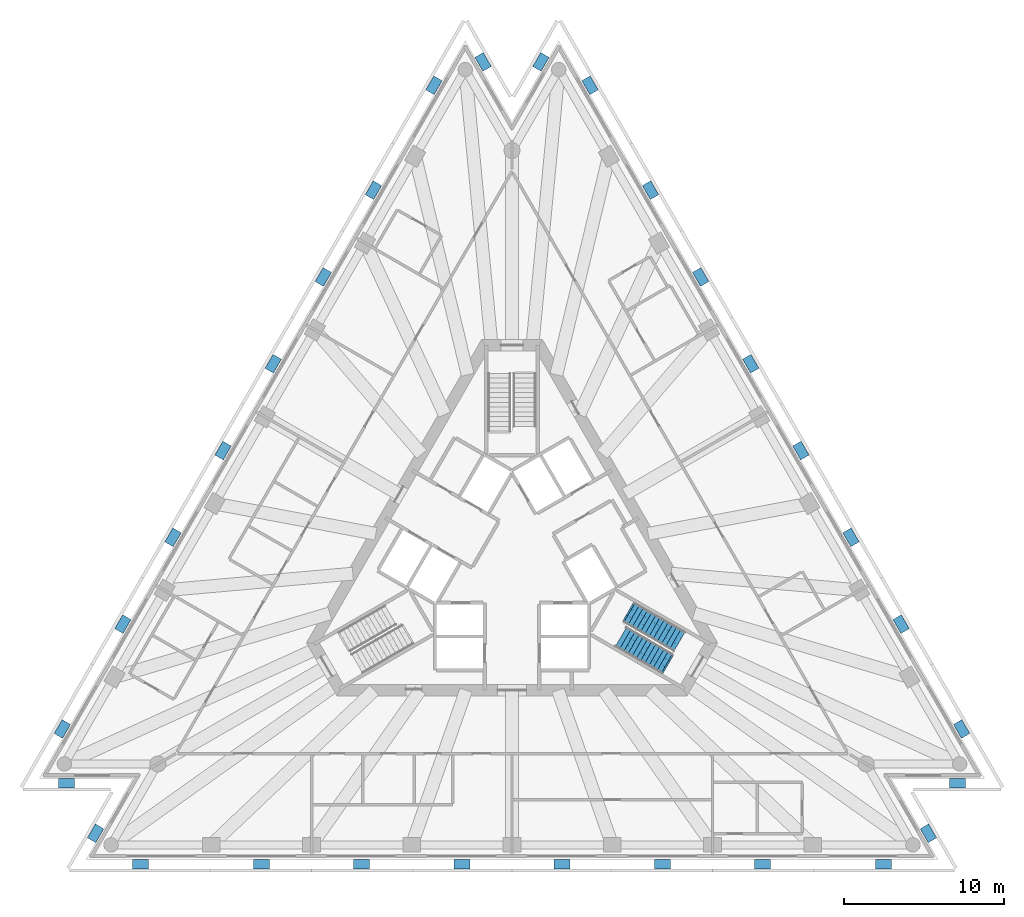
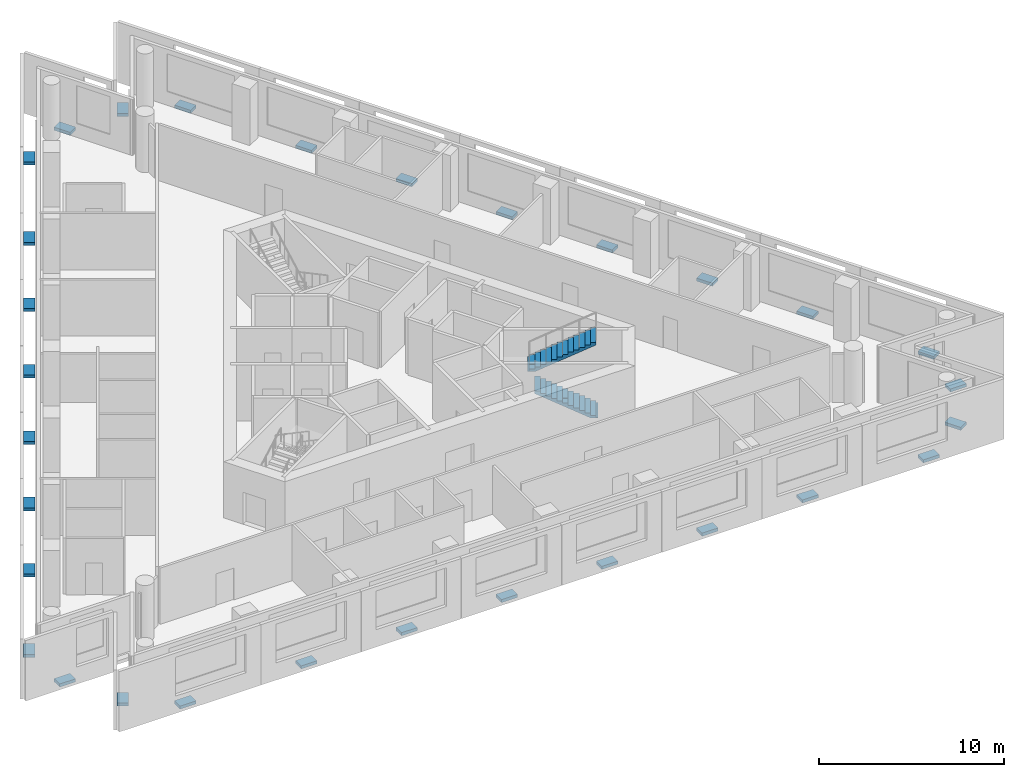
# One storey, part 8 of 10: 30 discrete accessories, 2 stair flights, 1 element without a shape of its own.
"""IFC4 building model written with IfcOpenShell, lengths in metres."""

from ifc_helpers import new_model, si_unit, direction, frame, origin, origin_2d, place, context, subcontext, project, spatial, polyline, rectangle, outline, extrude, material, type_object, element, aggregate, save


model = new_model("IFC4")

# Units and contexts
model_context = context("Model", 3, precision=1e-05, world=origin(), true_north=direction((0.0, 1.0)))
body_context = subcontext(model_context, "Body", "Model", "MODEL_VIEW")
ifc_project = project(units=[si_unit("LENGTHUNIT", "METRE"), si_unit("AREAUNIT", "SQUARE_METRE"), si_unit("VOLUMEUNIT", "CUBIC_METRE"), si_unit("PLANEANGLEUNIT", "RADIAN"), si_unit("MASSUNIT", "GRAM", prefix="KILO")], contexts=[model_context])

# Site, building, storey
site_placement = place(None, origin())
site = spatial("IfcSite", under=ifc_project, at=site_placement, CompositionType="ELEMENT")
building_placement = place(site_placement, origin())
building = spatial("IfcBuilding", under=site, at=building_placement, Name="Triada Interchange Tower", CompositionType="ELEMENT")
storey_placement = place(building_placement, frame((0.0, 0.0, 199.300048828125)))
storey = spatial("IfcBuildingStorey", under=building, at=storey_placement, Name="L46", CompositionType="ELEMENT", Elevation=199.300048828125)

# Stair, stair flights
ifc_material_1 = material(Name="Concrete C35/45", Category="concrete")
stair_type = type_object("IfcStairType", Name="HALF TURN STAIR 1400", PredefinedType="HALF_TURN_STAIR", material=ifc_material_1)
stair_placement = place(storey_placement, origin())
stair = element("IfcStair", 1, at=stair_placement, inside=storey, type_object=stair_type, Name="Exit stair S44-3", PredefinedType="HALF_TURN_STAIR")
stair_flight_type = type_object("IfcStairFlightType", Name="STRAIGHT STAIR FLIGHT 1400", PredefinedType="STRAIGHT", material=ifc_material_1)
stair_flight_1_placement = place(storey_placement, frame((9.64599609375, -6.492919921875, 0.0), z_axis=(0.0, 0.0, 1.0), x_axis=(-0.866025403784, 0.5, 0.0)))
stair_flight_1 = element("IfcStairFlight", 2, at=stair_flight_1_placement, type_object=stair_flight_type, Name="S44-3 flight 1", NumberOfRisers=12, NumberOfTreads=11, PredefinedType="STRAIGHT", RiserHeight=0.16, TreadLength=0.3, context=body_context, shape_type="SweptSolid", body=[
    extrude(outline(polyline([(-0.10009765625, 0.0), (-0.10009765625, 0.02001953125), (0.0, 0.02001953125), (0.0, 0.159912109375), (0.300048828125, 0.159912109375), (0.300048828125, 0.320068359375), (0.60009765625, 0.320068359375), (0.60009765625, 0.47998046875), (0.89990234375, 0.47998046875), (0.89990234375, 0.639892578125), (1.199951171875, 0.639892578125), (1.199951171875, 0.800048828125), (1.5, 0.800048828125), (1.5, 0.9599609375), (1.800048828125, 0.9599609375), (1.800048828125, 1.1201171875), (2.10009765625, 1.1201171875), (2.10009765625, 1.280029296875), (2.39990234375, 1.280029296875), (2.39990234375, 1.43994140625), (2.699951171875, 1.43994140625), (2.699951171875, 1.60009765625), (3.0, 1.60009765625), (3.0, 1.760009765625), (3.300048828125, 1.760009765625), (3.303955078125, 1.760009765625), (3.303955078125, 1.919921875), (3.303955078125, 1.590087890625), (0.318603515625, 0.0), (-0.10009765625, 0.0)])), frame((0.0, 0.699951171875, 0.0), z_axis=(0.0, -1.0, 0.0), x_axis=(1.0, 0.0, 0.0)), (0.0, 0.0, 1.0), 0.46533203125),
    extrude(outline(polyline([(-0.10009765625, 0.0), (-0.10009765625, 0.02001953125), (0.0, 0.02001953125), (0.0, 0.159912109375), (0.300048828125, 0.159912109375), (0.300048828125, 0.320068359375), (0.60009765625, 0.320068359375), (0.60009765625, 0.47998046875), (0.89990234375, 0.47998046875), (0.89990234375, 0.639892578125), (1.199951171875, 0.639892578125), (1.199951171875, 0.800048828125), (1.5, 0.800048828125), (1.5, 0.9599609375), (1.800048828125, 0.9599609375), (1.800048828125, 1.1201171875), (2.10009765625, 1.1201171875), (2.10009765625, 1.280029296875), (2.39990234375, 1.280029296875), (2.39990234375, 1.43994140625), (2.699951171875, 1.43994140625), (2.699951171875, 1.60009765625), (3.0, 1.60009765625), (3.0, 1.760009765625), (3.300048828125, 1.760009765625), (3.303955078125, 1.760009765625), (3.303955078125, 1.919921875), (3.303955078125, 1.590087890625), (0.318603515625, 0.0), (-0.10009765625, 0.0)])), frame((0.0, 0.232666015625, 0.0), z_axis=(0.0, -1.0, 0.0), x_axis=(1.0, 0.0, 0.0)), (0.0, 0.0, 1.0), 0.46533203125),
    extrude(outline(polyline([(-0.10009765625, 0.0), (-0.10009765625, 0.02001953125), (0.0, 0.02001953125), (0.0, 0.159912109375), (0.300048828125, 0.159912109375), (0.300048828125, 0.320068359375), (0.60009765625, 0.320068359375), (0.60009765625, 0.47998046875), (0.89990234375, 0.47998046875), (0.89990234375, 0.639892578125), (1.199951171875, 0.639892578125), (1.199951171875, 0.800048828125), (1.5, 0.800048828125), (1.5, 0.9599609375), (1.800048828125, 0.9599609375), (1.800048828125, 1.1201171875), (2.10009765625, 1.1201171875), (2.10009765625, 1.280029296875), (2.39990234375, 1.280029296875), (2.39990234375, 1.43994140625), (2.699951171875, 1.43994140625), (2.699951171875, 1.60009765625), (3.0, 1.60009765625), (3.0, 1.760009765625), (3.300048828125, 1.760009765625), (3.303955078125, 1.760009765625), (3.303955078125, 1.919921875), (3.303955078125, 1.590087890625), (0.318603515625, 0.0), (-0.10009765625, 0.0)])), frame((0.0, -0.234619140625, 0.0), z_axis=(0.0, -1.0, 0.0), x_axis=(1.0, 0.0, 0.0)), (0.0, 0.0, 1.0), 0.46533203125),
])
stair_flight_2_placement = place(storey_placement, frame((7.327880859375, -3.306884765625, 1.919921875), z_axis=(0.0, 0.0, 1.0), x_axis=(0.866025403784, -0.5, 0.0)))
stair_flight_2 = element("IfcStairFlight", 3, at=stair_flight_2_placement, type_object=stair_flight_type, Name="S44-3 flight 2", NumberOfRisers=13, NumberOfTreads=12, PredefinedType="STRAIGHT", RiserHeight=0.16, TreadLength=0.3, context=body_context, shape_type="SweptSolid", body=[
    extrude(outline(polyline([(-0.10009765625, 0.0), (-0.10009765625, 0.02001953125), (0.0, 0.02001953125), (0.0, 0.159912109375), (0.300048828125, 0.159912109375), (0.300048828125, 0.320068359375), (0.60009765625, 0.320068359375), (0.60009765625, 0.47998046875), (0.89990234375, 0.47998046875), (0.89990234375, 0.639892578125), (1.199951171875, 0.639892578125), (1.199951171875, 0.800048828125), (1.5, 0.800048828125), (1.5, 0.9599609375), (1.800048828125, 0.9599609375), (1.800048828125, 1.1201171875), (2.10009765625, 1.1201171875), (2.10009765625, 1.280029296875), (2.39990234375, 1.280029296875), (2.39990234375, 1.43994140625), (2.699951171875, 1.43994140625), (2.699951171875, 1.60009765625), (3.0, 1.60009765625), (3.0, 1.760009765625), (3.300048828125, 1.760009765625), (3.300048828125, 1.919921875), (3.60009765625, 1.919921875), (3.60400390625, 1.919921875), (3.60400390625, 2.080078125), (3.60400390625, 1.75), (0.318603515625, 0.0), (-0.10009765625, 0.0)])), frame((0.0, 0.699951171875, 0.0), z_axis=(0.0, -1.0, 0.0), x_axis=(1.0, 0.0, 0.0)), (0.0, 0.0, 1.0), 0.46533203125),
    extrude(outline(polyline([(-0.10009765625, 0.0), (-0.10009765625, 0.02001953125), (0.0, 0.02001953125), (0.0, 0.159912109375), (0.300048828125, 0.159912109375), (0.300048828125, 0.320068359375), (0.60009765625, 0.320068359375), (0.60009765625, 0.47998046875), (0.89990234375, 0.47998046875), (0.89990234375, 0.639892578125), (1.199951171875, 0.639892578125), (1.199951171875, 0.800048828125), (1.5, 0.800048828125), (1.5, 0.9599609375), (1.800048828125, 0.9599609375), (1.800048828125, 1.1201171875), (2.10009765625, 1.1201171875), (2.10009765625, 1.280029296875), (2.39990234375, 1.280029296875), (2.39990234375, 1.43994140625), (2.699951171875, 1.43994140625), (2.699951171875, 1.60009765625), (3.0, 1.60009765625), (3.0, 1.760009765625), (3.300048828125, 1.760009765625), (3.300048828125, 1.919921875), (3.60009765625, 1.919921875), (3.60400390625, 1.919921875), (3.60400390625, 2.080078125), (3.60400390625, 1.75), (0.318603515625, 0.0), (-0.10009765625, 0.0)])), frame((0.0, 0.232666015625, 0.0), z_axis=(0.0, -1.0, 0.0), x_axis=(1.0, 0.0, 0.0)), (0.0, 0.0, 1.0), 0.46533203125),
    extrude(outline(polyline([(-0.10009765625, 0.0), (-0.10009765625, 0.02001953125), (0.0, 0.02001953125), (0.0, 0.159912109375), (0.300048828125, 0.159912109375), (0.300048828125, 0.320068359375), (0.60009765625, 0.320068359375), (0.60009765625, 0.47998046875), (0.89990234375, 0.47998046875), (0.89990234375, 0.639892578125), (1.199951171875, 0.639892578125), (1.199951171875, 0.800048828125), (1.5, 0.800048828125), (1.5, 0.9599609375), (1.800048828125, 0.9599609375), (1.800048828125, 1.1201171875), (2.10009765625, 1.1201171875), (2.10009765625, 1.280029296875), (2.39990234375, 1.280029296875), (2.39990234375, 1.43994140625), (2.699951171875, 1.43994140625), (2.699951171875, 1.60009765625), (3.0, 1.60009765625), (3.0, 1.760009765625), (3.300048828125, 1.760009765625), (3.300048828125, 1.919921875), (3.60009765625, 1.919921875), (3.60400390625, 1.919921875), (3.60400390625, 2.080078125), (3.60400390625, 1.75), (0.318603515625, 0.0), (-0.10009765625, 0.0)])), frame((0.0, -0.234619140625, 0.0), z_axis=(0.0, -1.0, 0.0), x_axis=(1.0, 0.0, 0.0)), (0.0, 0.0, 1.0), 0.46533203125),
])
aggregate(stair, [stair_flight_1, stair_flight_2])

# Discrete accessories
ifc_material_2 = material(Name="Steel S355", Category="steel")
discrete_accessory_type = type_object("IfcDiscreteAccessoryType", Name="Steel bracket outer skin", PredefinedType="BRACKET", material=ifc_material_2)
for number, where, z_axis, x_axis, name in (
    (4, (-4.865966796875, 29.56103515625, -0.27001953125), (0.0, 0.0, 1.0), (-0.866023457736, 0.50000337064, 0.0), "Bracket L46 01"),
    (5, (-8.638916015625, 23.02490234375, -0.27001953125), (0.0, 0.0, 1.0), (-0.866023457736, 0.50000337064, 0.0), "Bracket L46 02"),
    (6, (-11.763916015625, 17.614013671875, -0.27001953125), (0.0, 0.0, 1.0), (-0.866023457736, 0.50000337064, 0.0), "Bracket L46 03"),
    (7, (-14.887939453125, 12.202880859375, -0.27001953125), (0.0, 0.0, 1.0), (-0.866023457736, 0.50000337064, 0.0), "Bracket L46 04"),
    (8, (-18.011962890625, 6.7919921875, -0.27001953125), (0.0, 0.0, 1.0), (-0.866023457736, 0.50000337064, 0.0), "Bracket L46 05"),
    (9, (-21.135986328125, 1.381103515625, -0.27001953125), (0.0, 0.0, 1.0), (-0.866023457736, 0.50000337064, 0.0), "Bracket L46 06"),
    (10, (-24.260009765625, -4.030029296875, -0.27001953125), (0.0, 0.0, 1.0), (-0.866023457736, 0.50000337064, 0.0), "Bracket L46 07"),
    (11, (-28.033935546875, -10.56591796875, -0.27001953125), (0.0, 0.0, 1.0), (-0.866023457736, 0.50000337064, 0.0), "Bracket L46 08"),
    (12, (-27.763916015625, -13.947021484375, -0.27001953125), (0.0, 0.0, 1.0), (0.0, -1.0, 0.0), "Bracket L46 09"),
    (13, (-25.9609375, -17.071044921875, -0.27001953125), (0.0, 0.0, 1.0), (-0.866059880705, 0.499940279467, 0.0), "Bracket L46 10"),
    (14, (-23.16796875, -18.9951171875, -0.27001953125), (0.0, 0.0, 1.0), (0.0, -1.0, 0.0), "Bracket L46 11"),
    (15, (-15.62109375, -18.9951171875, -0.27001953125), (0.0, 0.0, 1.0), (0.0, -1.0, 0.0), "Bracket L46 12"),
    (16, (-9.3720703125, -18.9951171875, -0.27001953125), (0.0, 0.0, 1.0), (0.0, -1.0, 0.0), "Bracket L46 13"),
    (17, (-3.1240234375, -18.9951171875, -0.27001953125), (0.0, 0.0, 1.0), (0.0, -1.0, 0.0), "Bracket L46 14"),
    (18, (3.1240234375, -18.9951171875, -0.27001953125), (0.0, 0.0, 1.0), (0.0, -1.0, 0.0), "Bracket L46 15"),
    (19, (9.3720703125, -18.9951171875, -0.27001953125), (0.0, 0.0, 1.0), (0.0, -1.0, 0.0), "Bracket L46 16"),
    (20, (15.62109375, -18.9951171875, -0.27001953125), (0.0, 0.0, 1.0), (0.0, -1.0, 0.0), "Bracket L46 17"),
    (21, (23.16796875, -18.9951171875, -0.27001953125), (0.0, 0.0, 1.0), (0.0, -1.0, 0.0), "Bracket L46 18"),
    (22, (25.9609375, -17.071044921875, -0.27001953125), (0.0, 0.0, 1.0), (0.866059880705, 0.499940279467, 0.0), "Bracket L46 19"),
    (23, (27.763916015625, -13.947021484375, -0.27001953125), (0.0, 0.0, 1.0), (0.0, -1.0, 0.0), "Bracket L46 20"),
    (24, (28.033935546875, -10.56591796875, -0.27001953125), (0.0, 0.0, 1.0), (0.866023457736, 0.50000337064, 0.0), "Bracket L46 21"),
    (25, (24.260009765625, -4.030029296875, -0.27001953125), (0.0, 0.0, 1.0), (0.866023457736, 0.50000337064, 0.0), "Bracket L46 22"),
    (26, (21.135986328125, 1.381103515625, -0.27001953125), (0.0, 0.0, 1.0), (0.866023457736, 0.50000337064, 0.0), "Bracket L46 23"),
    (27, (18.011962890625, 6.7919921875, -0.27001953125), (0.0, 0.0, 1.0), (0.866023457736, 0.50000337064, 0.0), "Bracket L46 24"),
    (28, (14.887939453125, 12.202880859375, -0.27001953125), (0.0, 0.0, 1.0), (0.866023457736, 0.50000337064, 0.0), "Bracket L46 25"),
    (29, (11.763916015625, 17.614013671875, -0.27001953125), (0.0, 0.0, 1.0), (0.866023457736, 0.50000337064, 0.0), "Bracket L46 26"),
    (30, (8.638916015625, 23.02490234375, -0.27001953125), (0.0, 0.0, 1.0), (0.866023457736, 0.50000337064, 0.0), "Bracket L46 27"),
    (31, (4.865966796875, 29.56103515625, -0.27001953125), (0.0, 0.0, 1.0), (0.866023457736, 0.50000337064, 0.0), "Bracket L46 28"),
    (32, (1.802978515625, 31.01806640625, -0.27001953125), (0.0, 0.0, 1.0), (-0.866016991175, 0.500014570784, 0.0), "Bracket L46 29"),
    (33, (-1.802978515625, 31.01806640625, -0.27001953125), (0.0, 0.0, 1.0), (0.866016991175, 0.500014570784, 0.0), "Bracket L46 30"),
):
    element("IfcDiscreteAccessory", number, at=place(storey_placement, frame(where, z_axis=z_axis, x_axis=x_axis)), inside=storey, type_object=discrete_accessory_type, Name=name, PredefinedType="BRACKET", context=body_context, shape_type="SweptSolid", body=[
        extrude(rectangle(XDim=0.60009765625, YDim=1.0, at=origin_2d()), origin(), (0.0, 0.0, 1.0), 0.199951171875),
    ])

save(model, "model.ifc")
